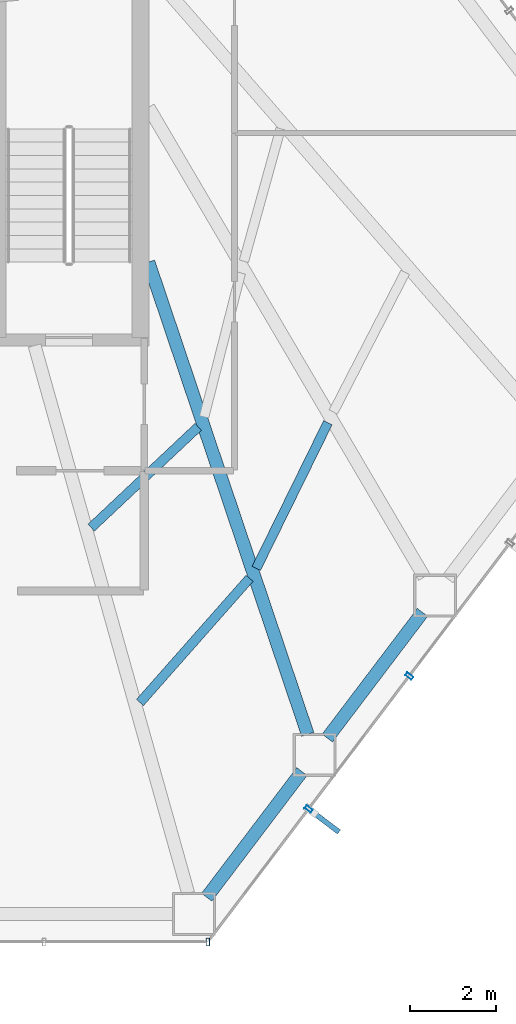
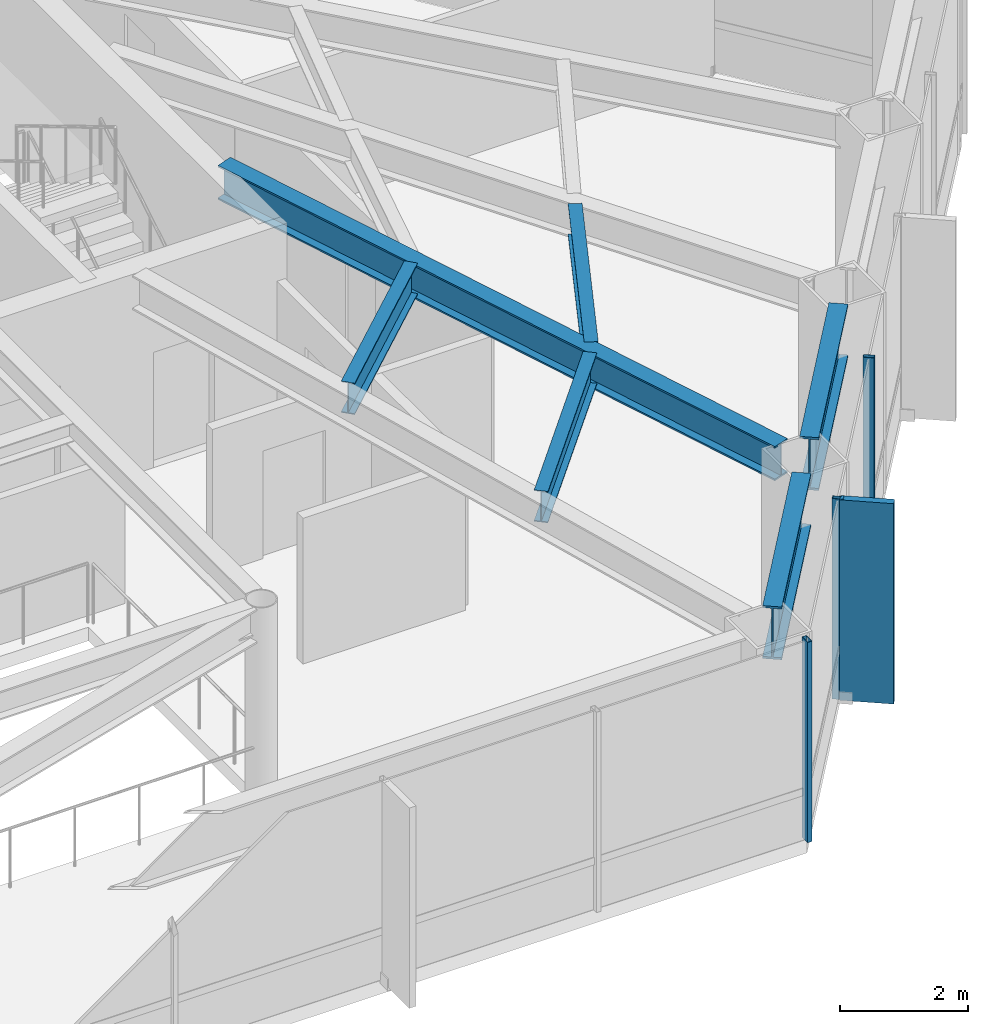
# One storey, part 17 of 26: 6 beams, 4 members, 2 elements without a shape of their own.
"""IFC4 building model written with IfcOpenShell, lengths in metres."""

from ifc_helpers import new_model, si_unit, direction, frame, origin, origin_2d, place, context, subcontext, project, spatial, rectangle, hollow_rectangle, i_section, extrude, material, layer, layer_set, material_profile, profile_set, type_object, element, aggregate, save


model = new_model("IFC4")

# Units and contexts
model_context = context("Model", 3, precision=1e-05, world=origin(), true_north=direction((0.0, 1.0)))
body_context = subcontext(model_context, "Body", "Model", "MODEL_VIEW")
ifc_project = project(units=[si_unit("LENGTHUNIT", "METRE"), si_unit("AREAUNIT", "SQUARE_METRE"), si_unit("VOLUMEUNIT", "CUBIC_METRE"), si_unit("PLANEANGLEUNIT", "RADIAN"), si_unit("MASSUNIT", "GRAM", prefix="KILO")], contexts=[model_context])

# Site, building, storey
site_placement = place(None, origin())
site = spatial("IfcSite", under=ifc_project, at=site_placement, CompositionType="ELEMENT")
building_placement = place(site_placement, origin())
building = spatial("IfcBuilding", under=site, at=building_placement, Name="Zarrinselat Tower", CompositionType="ELEMENT")
storey_placement = place(building_placement, frame((0.0, 0.0, 31.6201171875)))
storey = spatial("IfcBuildingStorey", under=building, at=storey_placement, Name="L07", CompositionType="ELEMENT", Elevation=31.6201171875)

# Beams
ifc_material_1 = material(Name="Steel S355J2", Category="steel")
ifc_material_profile_1 = material_profile(ifc_material_1, i_section(OverallWidth=0.300048828125, OverallDepth=0.64990234375, WebThickness=0.01611328125, FlangeThickness=0.031005859375, at=origin_2d()), Name="HEB 650")
ifc_profile_set_1 = profile_set([ifc_material_profile_1], Name="Steel S355J2")
beam_type_1 = type_object("IfcBeamType", Name="BM-HEB650", PredefinedType="BEAM", material=ifc_profile_set_1)
beam_1_placement = place(storey_placement, frame((48.449951171875, 35.0, 3.494873046875), z_axis=(0.319467998199, -0.94759706528, 0.0), x_axis=(0.94759706528, 0.319467998199, 0.0)))
element("IfcBeam", 1, at=beam_1_placement, inside=storey, type_object=beam_type_1, Name="L07 Radial Primary Girder RG12", PredefinedType="BEAM", context=body_context, shape_type="SweptSolid", body=[
    extrude(i_section(OverallWidth=0.300048828125, OverallDepth=0.64990234375, WebThickness=0.01611328125, FlangeThickness=0.031005859375, at=origin_2d()), origin(), (0.0, 0.0, 1.0), 11.58935546875),
])
ifc_material_2 = material(Name="Steel S460M", Category="steel")
ifc_material_profile_2 = material_profile(ifc_material_2, i_section(OverallWidth=0.302001953125, OverallDepth=1.008056640625, WebThickness=0.02099609375, FlangeThickness=0.0400390625, at=origin_2d()), Name="HEM 1000")
ifc_profile_set_2 = profile_set([ifc_material_profile_2], Name="Steel S460M")
beam_type_2 = type_object("IfcBeamType", Name="BM-HEM1000", PredefinedType="BEAM", material=ifc_profile_set_2)
for number, where, z_axis, x_axis, name in (
    (2, (49.802978515625, 20.2294921875, 3.31591796875), (0.603869220808, 0.797083411043, 0.0), (-0.797083411043, 0.603869220808, 0.0), "L07 Perimeter Spandrel Girder SP11"),
    (3, (52.607421875, 23.931396484375, 3.31591796875), (0.603869220808, 0.797083411043, 0.0), (-0.797083411043, 0.603869220808, 0.0), "L07 Perimeter Spandrel Girder SP12"),
):
    element("IfcBeam", number, at=place(storey_placement, frame(where, z_axis=z_axis, x_axis=x_axis)), inside=storey, type_object=beam_type_2, Name=name, PredefinedType="BEAM", context=body_context, shape_type="SweptSolid", body=[
        extrude(i_section(OverallWidth=0.302001953125, OverallDepth=1.008056640625, WebThickness=0.02099609375, FlangeThickness=0.0400390625, at=origin_2d()), origin(), (0.0, 0.0, 1.0), 3.668212890625),
    ])
ifc_material_3 = material(Name="Steel S355J2", Category="steel")
ifc_material_profile_3 = material_profile(ifc_material_3, i_section(OverallWidth=0.219970703125, OverallDepth=0.60009765625, WebThickness=0.011962890625, FlangeThickness=0.01904296875, at=origin_2d()), Name="IPE 600")
ifc_profile_set_3 = profile_set([ifc_material_profile_3], Name="Steel S355J2")
beam_type_3 = type_object("IfcBeamType", Name="BM-IPE600", PredefinedType="JOIST", material=ifc_profile_set_3)
beam_2_placement = place(storey_placement, frame((48.250732421875, 24.759033203125, 3.519775390625), z_axis=(0.661894057449, 0.749597396416, 0.0), x_axis=(-0.749597396416, 0.661894057449, 0.0)))
element("IfcBeam", 4, at=beam_2_placement, inside=storey, type_object=beam_type_3, Name="L07 Composite Floor Joist 4-1", PredefinedType="JOIST", context=body_context, shape_type="SweptSolid", body=[
    extrude(i_section(OverallWidth=0.219970703125, OverallDepth=0.60009765625, WebThickness=0.011962890625, FlangeThickness=0.01904296875, at=origin_2d()), origin(), (0.0, 0.0, 1.0), 3.8525390625),
])
beam_3_placement = place(storey_placement, frame((47.11669921875, 28.82568359375, 3.519775390625), z_axis=(0.728093107786, 0.685478246478, 0.0), x_axis=(-0.685478246478, 0.728093107786, 0.0)))
element("IfcBeam", 5, at=beam_3_placement, inside=storey, type_object=beam_type_3, Name="L07 Composite Floor Joist 4-2", PredefinedType="JOIST", context=body_context, shape_type="SweptSolid", body=[
    extrude(i_section(OverallWidth=0.219970703125, OverallDepth=0.60009765625, WebThickness=0.011962890625, FlangeThickness=0.01904296875, at=origin_2d()), origin(), (0.0, 0.0, 1.0), 3.420166015625),
])
beam_4_placement = place(storey_placement, frame((50.955322265625, 27.87744140625, 3.519775390625), z_axis=(0.441176231873, 0.897420488083, 0.0), x_axis=(-0.897420488083, 0.441176231873, 0.0)))
element("IfcBeam", 6, at=beam_4_placement, inside=storey, type_object=beam_type_3, Name="L07 Composite Floor Joist 5-1", PredefinedType="JOIST", context=body_context, shape_type="SweptSolid", body=[
    extrude(i_section(OverallWidth=0.219970703125, OverallDepth=0.60009765625, WebThickness=0.011962890625, FlangeThickness=0.01904296875, at=origin_2d()), origin(), (0.0, 0.0, 1.0), 3.775146484375),
])

# Curtain wall, member
ifc_material_4 = material(Name="Extruded Aluminium Alloy EN AW-6063 T6", Category="aluminium")
ifc_layer = layer(ifc_material_4, 0.18505859375)
ifc_layer_set = layer_set([ifc_layer], Name="Extruded Aluminium Alloy EN AW-6063 T6")
curtain_wall_type = type_object("IfcCurtainWallType", Name="CWS-OFF", PredefinedType="NOTDEFINED", material=ifc_layer_set)
curtain_wall_1_placement = place(storey_placement, origin())
curtain_wall_1 = element("IfcCurtainWall", 7, at=curtain_wall_1_placement, inside=storey, type_object=curtain_wall_type, Name="L07 Unitised Curtain Wall CW-L07-E04", PredefinedType="NOTDEFINED")
ifc_material_5 = material(Name="Extruded Aluminium Alloy EN AW-6063 T6", Category="aluminium")
ifc_material_profile_4 = material_profile(ifc_material_5, hollow_rectangle(XDim=0.080078125, YDim=0.179931640625, WallThickness=0.0048828125, at=origin_2d()), Name="RHS 180x80x5")
ifc_profile_set_4 = profile_set([ifc_material_profile_4], Name="Extruded Aluminium Alloy EN AW-6063 T6")
member_type_1 = type_object("IfcMemberType", Name="MEM-CW-MUL", PredefinedType="MULLION", material=ifc_profile_set_4)
member_1_placement = place(storey_placement, frame((49.831298828125, 19.1904296875, 0.0), z_axis=(0.0, 0.0, 1.0), x_axis=(1.0, 0.0, 0.0)))
member_1 = element("IfcMember", 8, at=member_1_placement, type_object=member_type_1, Name="CW-L07-E04 Mullion 7", PredefinedType="MULLION", context=body_context, shape_type="SweptSolid", body=[
    extrude(hollow_rectangle(XDim=0.080078125, YDim=0.179931640625, WallThickness=0.0048828125, at=origin_2d()), origin(), (0.0, 0.0, 1.0), 3.81982421875),
])
aggregate(curtain_wall_1, [member_1])

# Curtain wall, members
curtain_wall_2_placement = place(storey_placement, origin())
curtain_wall_2 = element("IfcCurtainWall", 9, at=curtain_wall_2_placement, inside=storey, type_object=curtain_wall_type, Name="L07 Unitised Curtain Wall CW-L07-E05", PredefinedType="NOTDEFINED")
member_2_placement = place(storey_placement, frame((52.17333984375, 22.281982421875, 0.0), z_axis=(0.0, 0.0, 1.0), x_axis=(0.603858382963, 0.797091621663, 0.0)))
member_2 = element("IfcMember", 10, at=member_2_placement, type_object=member_type_1, Name="CW-L07-E05 Mullion 1", PredefinedType="MULLION", context=body_context, shape_type="SweptSolid", body=[
    extrude(hollow_rectangle(XDim=0.080078125, YDim=0.179931640625, WallThickness=0.0048828125, at=origin_2d()), origin(), (0.0, 0.0, 1.0), 3.81982421875),
])
member_3_placement = place(storey_placement, frame((54.515380859375, 25.37353515625, 0.0), z_axis=(0.0, 0.0, 1.0), x_axis=(0.603858382963, 0.797091621663, 0.0)))
member_3 = element("IfcMember", 11, at=member_3_placement, type_object=member_type_1, Name="CW-L07-E05 Mullion 2", PredefinedType="MULLION", context=body_context, shape_type="SweptSolid", body=[
    extrude(hollow_rectangle(XDim=0.080078125, YDim=0.179931640625, WallThickness=0.0048828125, at=origin_2d()), origin(), (0.0, 0.0, 1.0), 3.81982421875),
])
ifc_material_6 = material(Name="Honed Cream Travertine Stone", Category="masonry")
ifc_material_profile_5 = material_profile(ifc_material_6, rectangle(XDim=0.1201171875, YDim=0.85009765625, at=origin_2d()), Name="FIN 850x120")
ifc_profile_set_5 = profile_set([ifc_material_profile_5], Name="Honed Cream Travertine Stone")
member_type_2 = type_object("IfcMemberType", Name="MEM-STONE-FIN", PredefinedType="USERDEFINED", material=ifc_profile_set_5)
member_4_placement = place(storey_placement, frame((52.5400390625, 22.004150390625, 0.0), z_axis=(0.0, 0.0, 1.0), x_axis=(-0.603858382963, -0.797091621663, 0.0)))
member_4 = element("IfcMember", 12, at=member_4_placement, type_object=member_type_2, Name="L07 Stone Shading Fin CW-L07-E05-01", ObjectType="FIN", PredefinedType="USERDEFINED", context=body_context, shape_type="SweptSolid", body=[
    extrude(rectangle(XDim=0.1201171875, YDim=0.85009765625, at=origin_2d()), origin(), (0.0, 0.0, 1.0), 3.81982421875),
])
aggregate(curtain_wall_2, [member_2, member_4, member_3])

save(model, "model.ifc")
